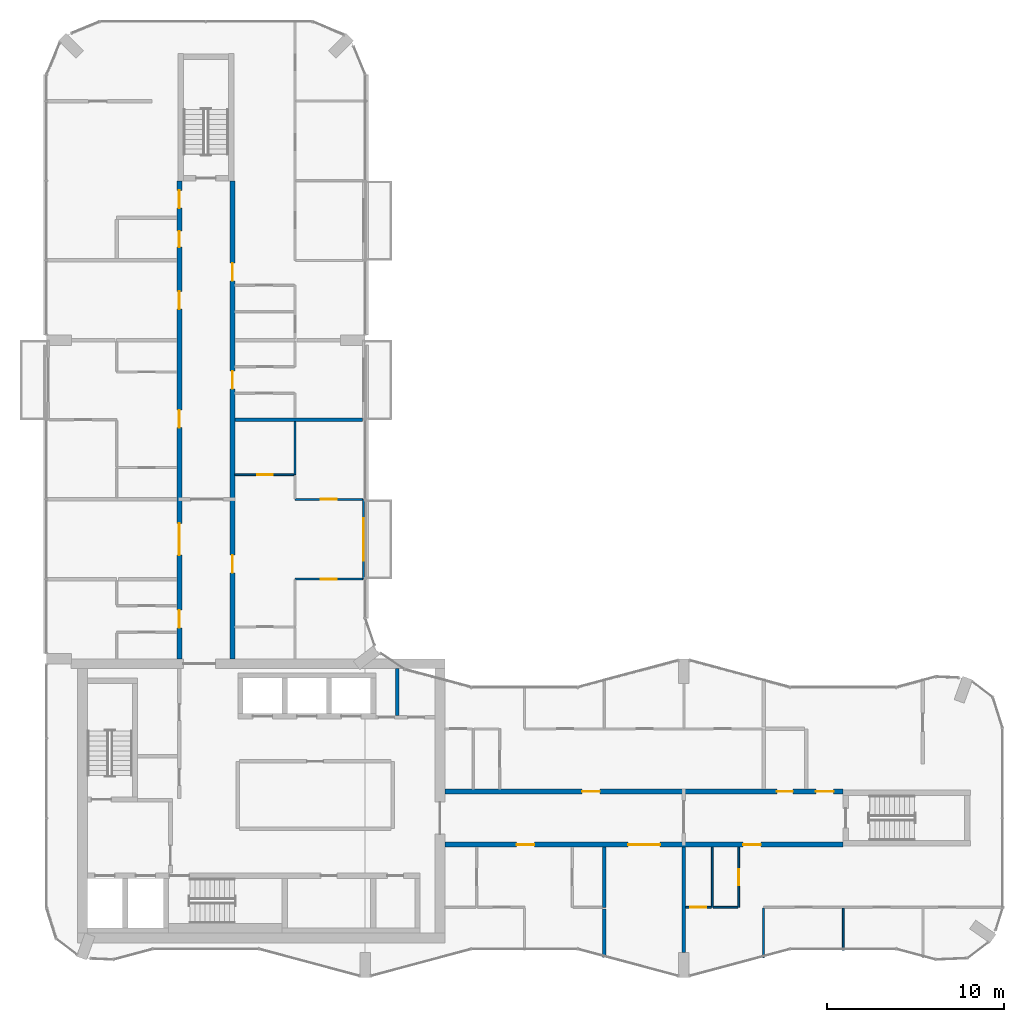
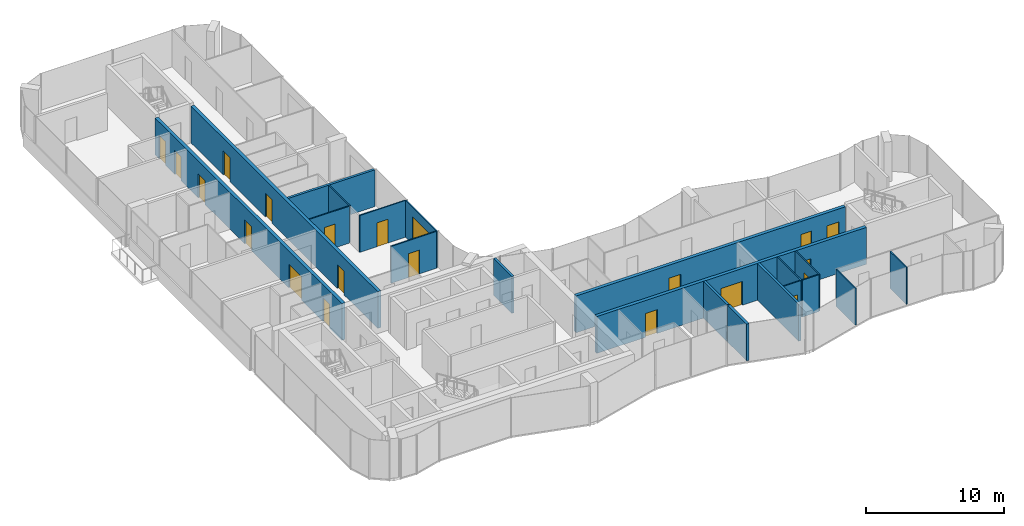
# One storey, part 11 of 15: 21 doors, 20 walls, 21 openings.
"""IFC4 building model written with IfcOpenShell, lengths in metres."""

import ifcopenshell
import ifcopenshell.guid

model = None  # the IFC model being written
_history = None  # IfcOwnerHistory: only IFC2X3 demands one
_inside = {}  # id of a spatial element -> (the spatial element, [elements in it])
_under = {}  # id of a project, library or spatial element -> (it, [spatial elements below it])
_declared = {}  # id of a project -> (the project, [libraries it declares])
_typed = {}  # id of a type object -> (the type object, [elements of that type])
_made_of = {}  # id of a material, layer set ... -> (it, [elements and type objects made of it])


def new_model(schema):
    """Start an empty IFC model of exactly this schema.

    Asked for "IFC4X3", IfcOpenShell would pick the latest addendum, in which some entities
    have other attributes; the version numbers below select the first issue.
    IFC2X3 requires an IfcOwnerHistory on every rooted entity: one is made here for all.
    """
    global model, _history
    if schema == "IFC4X3":
        model = ifcopenshell.file(schema_version=(4, 3, 0, 0))
    else:
        model = ifcopenshell.file(schema=schema)
    _inside.clear()
    _under.clear()
    _declared.clear()
    _typed.clear()
    _made_of.clear()
    _history = None
    if model.schema == "IFC2X3":
        org = make("IfcOrganization", Name="unknown")
        user = make(
            "IfcPersonAndOrganization",
            ThePerson=make("IfcPerson", FamilyName="unknown"),
            TheOrganization=org,
        )
        app = make(
            "IfcApplication",
            ApplicationDeveloper=org,
            Version="unknown",
            ApplicationFullName="unknown",
            ApplicationIdentifier="unknown",
        )
        _history = make(
            "IfcOwnerHistory",
            OwningUser=user,
            OwningApplication=app,
            ChangeAction="ADDED",
            CreationDate=0,
        )
    return model


def make(cls, **values):
    """One entity of the class cls with the attributes given. An attribute that is None is left unset."""
    return model.create_entity(
        cls, **{name: value for name, value in values.items() if value is not None}
    )


def rooted(cls, **values):
    """An entity with a GlobalId (a new one), such as an element, a storey or a relation."""
    return make(cls, GlobalId=ifcopenshell.guid.new(), OwnerHistory=_history, **values)


def si_unit(unit_type, name, prefix=None):
    """IfcSIUnit, for example si_unit("LENGTHUNIT", "METRE", prefix="MILLI")."""
    return make("IfcSIUnit", UnitType=unit_type, Prefix=prefix, Name=name)


def assignment(units):
    """IfcUnitAssignment: the units of a project."""
    return None if units is None else make("IfcUnitAssignment", Units=units)


def point(xyz):
    """IfcCartesianPoint."""
    return None if xyz is None else make("IfcCartesianPoint", Coordinates=xyz)


def direction(xyz):
    """IfcDirection."""
    return None if xyz is None else make("IfcDirection", DirectionRatios=xyz)


def frame(location, z_axis=None, x_axis=None):
    """IfcAxis2Placement3D, a coordinate frame: its origin and axes. An axis left out is left unset."""
    return make(
        "IfcAxis2Placement3D",
        Location=point(location),
        Axis=direction(z_axis),
        RefDirection=direction(x_axis),
    )


def frame_2d(location, x_axis=None):
    """IfcAxis2Placement2D, a coordinate frame in the plane: its origin and x axis."""
    return make(
        "IfcAxis2Placement2D", Location=point(location), RefDirection=direction(x_axis)
    )


def origin():
    """The frame at (0, 0, 0) with its axes left unset."""
    return frame((0.0, 0.0, 0.0))


def place(relative_to, where):
    """IfcLocalPlacement: puts the frame where relative to a parent placement (None: the world)."""
    return make(
        "IfcLocalPlacement", PlacementRelTo=relative_to, RelativePlacement=where
    )


def context(
    kind, dimensions, precision=None, world=None, true_north=None, identifier=None
):
    """IfcGeometricRepresentationContext, for example the 3D "Model" context."""
    return make(
        "IfcGeometricRepresentationContext",
        ContextIdentifier=identifier,
        ContextType=kind,
        CoordinateSpaceDimension=dimensions,
        Precision=precision,
        WorldCoordinateSystem=world,
        TrueNorth=true_north,
    )


def subcontext(parent, identifier, kind, view, scale=None):
    """IfcGeometricRepresentationSubContext, for example "Body" below "Model"."""
    return make(
        "IfcGeometricRepresentationSubContext",
        ContextIdentifier=identifier,
        ContextType=kind,
        ParentContext=parent,
        TargetScale=scale,
        TargetView=view,
    )


def project(units=None, contexts=None):
    """IfcProject with its units and contexts."""
    return rooted(
        "IfcProject",
        Name="project",
        RepresentationContexts=contexts,
        UnitsInContext=assignment(units),
    )


def spatial(cls, under=None, at=None, **own):
    """A site, building, storey or space (cls), placed at a placement, below another one or the project."""
    s = rooted(cls, ObjectPlacement=at, **own)
    if under is not None:
        _under.setdefault(under.id(), (under, []))[1].append(s)
    return s


def profile(cls, at=None, kind="AREA", **sizes):
    """A parametric profile (cls). Its sizes go by their IFC names, for example OverallWidth=200.0."""
    return make(cls, ProfileType=kind, Position=at, **sizes)


def rectangle(**sizes):
    """IfcRectangleProfileDef."""
    return profile("IfcRectangleProfileDef", **sizes)


def extrude(swept, where, along, depth):
    """IfcExtrudedAreaSolid: the profile swept, set in the frame where, extruded along a direction by depth."""
    return make(
        "IfcExtrudedAreaSolid",
        SweptArea=swept,
        Position=where,
        ExtrudedDirection=direction(along),
        Depth=depth,
    )


def shape(context_of_items, identifier, shape_type, items):
    """IfcShapeRepresentation: the items that make up one representation, for example the "Body"."""
    return make(
        "IfcShapeRepresentation",
        ContextOfItems=context_of_items,
        RepresentationIdentifier=identifier,
        RepresentationType=shape_type,
        Items=items,
    )


def material(Name=None, Category=None):
    """IfcMaterial."""
    return make("IfcMaterial", Name=Name, Category=Category)


def layer(
    of_material, thickness, ventilated=None, Name=None, Category=None, Priority=None
):
    """IfcMaterialLayer: one layer of a wall or slab, of a material (None: an air gap)."""
    return make(
        "IfcMaterialLayer",
        Material=of_material,
        LayerThickness=thickness,
        IsVentilated=ventilated,
        Name=Name,
        Category=Category,
        Priority=Priority,
    )


def layer_set(layers, Name=None):
    """IfcMaterialLayerSet."""
    return make("IfcMaterialLayerSet", MaterialLayers=layers, LayerSetName=Name)


def made_of(thing, what):
    """Note that an element or type object is made of a material, layer set ...; save() writes the relation."""
    if what is not None:
        _made_of.setdefault(what.id(), (what, []))[1].append(thing)
    return thing


def type_object(cls, material=None, **own):
    """A type object (cls), such as IfcWallType, which elements share."""
    return made_of(rooted(cls, **own), material)


def element(
    cls,
    number,
    at=None,
    inside=None,
    cuts=None,
    type_object=None,
    material=None,
    context=None,
    identifier="Body",
    shape_type=None,
    held_by="IfcProductDefinitionShape",
    body=None,
    shapes=None,
    **own,
):
    """One element of the class cls, such as IfcWall. Its Tag is "e" and its number.

    at: its placement. inside: the storey or other place that contains it. cuts: it is an
    opening in that element (IfcRelVoidsElement). A single representation is given by context,
    identifier, shape_type and body (its items); several are given by shapes. held_by: the class
    of the entity that holds the representations. save() writes the other relations.
    """
    e = rooted(cls, Tag="e%d" % number, ObjectPlacement=at, **own)
    if body is not None:
        shapes = [shape(context, identifier, shape_type, body)]
    if shapes is not None:
        e.Representation = make(held_by, Representations=shapes)
    if inside is not None:
        _inside.setdefault(inside.id(), (inside, []))[1].append(e)
    if cuts is not None:
        rooted(
            "IfcRelVoidsElement", RelatingBuildingElement=cuts, RelatedOpeningElement=e
        )
    if type_object is not None:
        _typed.setdefault(type_object.id(), (type_object, []))[1].append(e)
    return made_of(e, material)


def fill(opening, filler):
    """IfcRelFillsElement: the door or window that sits in an opening."""
    return rooted(
        "IfcRelFillsElement",
        RelatingOpeningElement=opening,
        RelatedBuildingElement=filler,
    )


def aggregate(whole, parts):
    """IfcRelAggregates: a whole, such as a stair, and the parts it consists of."""
    return rooted("IfcRelAggregates", RelatingObject=whole, RelatedObjects=parts)


def save(model, path):
    """Write the relations noted so far, then the file.

    IfcRelAggregates (storeys below a building ...), IfcRelContainedInSpatialStructure (elements
    in a storey), IfcRelDefinesByType, IfcRelAssociatesMaterial and IfcRelDeclares: one each for
    every whole, place, type object, material and project.
    """
    for whole, parts in _under.values():
        aggregate(whole, parts)
    for where, things in _inside.values():
        rooted(
            "IfcRelContainedInSpatialStructure",
            RelatedElements=things,
            RelatingStructure=where,
        )
    for kind, things in _typed.values():
        rooted("IfcRelDefinesByType", RelatedObjects=things, RelatingType=kind)
    for what, things in _made_of.values():
        rooted("IfcRelAssociatesMaterial", RelatedObjects=things, RelatingMaterial=what)
    for by, libraries in _declared.values():
        rooted("IfcRelDeclares", RelatingContext=by, RelatedDefinitions=libraries)
    model.write(path)


model = new_model("IFC4")

# Units and contexts
model_context = context("Model", 3, precision=1e-05, world=origin(), true_north=direction((0.0, 1.0)))
body_context = subcontext(model_context, "Body", "Model", "MODEL_VIEW")
ifc_project = project(units=[si_unit("LENGTHUNIT", "METRE"), si_unit("AREAUNIT", "SQUARE_METRE"), si_unit("VOLUMEUNIT", "CUBIC_METRE"), si_unit("PLANEANGLEUNIT", "RADIAN"), si_unit("MASSUNIT", "GRAM", prefix="KILO")], contexts=[model_context])

# Site, building, storey
site_placement = place(None, origin())
site = spatial("IfcSite", under=ifc_project, at=site_placement, CompositionType="ELEMENT")
building_placement = place(site_placement, origin())
building = spatial("IfcBuilding", under=site, at=building_placement, Name="Plateau Cross Towers", CompositionType="ELEMENT")
storey_placement = place(building_placement, frame((0.0, 0.0, 204.89990234375)))
storey = spatial("IfcBuildingStorey", under=building, at=storey_placement, Name="L53", CompositionType="ELEMENT", Elevation=204.89990234375)

# Wall, opening, door
ifc_material_1 = material(Name="Aluminium framed glazing", Category="aluminium")
ifc_layer_1 = layer(ifc_material_1, 0.10009765625)
ifc_layer_set_1 = layer_set([ifc_layer_1], Name="Aluminium framed glazing")
wall_type_1 = type_object("IfcWallType", Name="Balcony screen wall 100", PredefinedType="STANDARD", material=ifc_layer_set_1)
wall_1_placement = place(storey_placement, frame((17.89990234375, 27.0, 0.0), z_axis=(0.0, 0.0, 1.0), x_axis=(0.0, -1.0, 0.0)))
wall_1 = element("IfcWall", 1, at=wall_1_placement, inside=storey, type_object=wall_type_1, Name="Balcony screen wall A-BAL-L53-02", PredefinedType="STANDARD", context=body_context, shape_type="SweptSolid", body=[
    extrude(rectangle(XDim=4.5, YDim=0.10009765625, at=frame_2d((2.25, 0.0))), origin(), (0.0, 0.0, 1.0), 3.25),
])
opening_1_placement = place(wall_1_placement, frame((1.050048828125, 0.0, 0.0)))
opening_1 = element("IfcOpeningElement", 2, at=opening_1_placement, cuts=wall_1, Name="Opening D-B24", PredefinedType="OPENING", context=body_context, shape_type="SweptSolid", body=[
    extrude(rectangle(XDim=2.39990234375, YDim=2.39990234375, at=frame_2d((1.199951171875, 1.199951171875))), frame((0.0, 0.06005859375, 0.0), z_axis=(0.0, -1.0, 0.0), x_axis=(1.0, 0.0, 0.0)), (0.0, 0.0, 1.0), 0.1201171875),
])
ifc_material_2 = material(Name="Aluminium frame, double glazing", Category="aluminium")
door_type_1 = type_object("IfcDoorType", Name="Balcony sliding door 2400", OperationType="NOTDEFINED", PredefinedType="DOOR", material=ifc_material_2)
door_1_placement = place(opening_1_placement, origin())
door_1 = element("IfcDoor", 3, at=door_1_placement, inside=storey, type_object=door_type_1, Name="Balcony door A-BAL-L53-02", OperationType="SINGLE_SWING_LEFT", OverallHeight=2.39990234375, OverallWidth=2.39990234375, PredefinedType="DOOR", context=body_context, shape_type="SweptSolid", body=[
    extrude(rectangle(XDim=2.39990234375, YDim=2.39990234375, at=frame_2d((1.199951171875, 1.199951171875))), frame((0.0, 0.02490234375, 0.0), z_axis=(0.0, -1.0, 0.0), x_axis=(1.0, 0.0, 0.0)), (0.0, 0.0, 1.0), 0.050048828125),
])
fill(opening_1, door_1)

# Wall
ifc_material_3 = material(Name="Concrete block, plastered both sides", Category="concrete")
ifc_layer_2 = layer(ifc_material_3, 0.199951171875)
ifc_layer_set_2 = layer_set([ifc_layer_2], Name="Concrete block, plastered both sides")
wall_type_2 = type_object("IfcWallType", Name="Core partition 200", PredefinedType="PARTITIONING", material=ifc_layer_set_2)
wall_2_placement = place(storey_placement, frame((19.800048828125, 14.800048828125, 0.0), z_axis=(0.0, 0.0, 1.0), x_axis=(0.0, 1.0, 0.0)))
element("IfcWall", 4, at=wall_2_placement, inside=storey, type_object=wall_type_2, Name="Core partition", PredefinedType="PARTITIONING", context=body_context, shape_type="SweptSolid", body=[
    extrude(rectangle(XDim=2.64990234375, YDim=0.199951171875, at=frame_2d((1.324951171875, 0.0))), origin(), (0.0, 0.0, 1.0), 3.25),
])

# Wall, openings, doors
ifc_material_4 = material(Name="Concrete C60/75", Category="concrete")
ifc_layer_3 = layer(ifc_material_4, 0.27490234375)
ifc_layer_set_3 = layer_set([ifc_layer_3], Name="Concrete C60/75")
wall_type_3 = type_object("IfcWallType", Name="Corridor wall 275", PredefinedType="SHEAR", material=ifc_layer_set_3)
wall_3_placement = place(storey_placement, frame((22.5, 7.5, 0.0), z_axis=(0.0, 0.0, 1.0), x_axis=(1.0, 0.0, 0.0)))
wall_3 = element("IfcWall", 5, at=wall_3_placement, inside=storey, type_object=wall_type_3, Name="A-cw-S1@L53", PredefinedType="SHEAR", context=body_context, shape_type="SweptSolid", body=[
    extrude(rectangle(XDim=22.5, YDim=0.27490234375, at=frame_2d((11.25, 0.0))), origin(), (0.0, 0.0, 1.0), 3.25),
])
opening_2_placement = place(wall_3_placement, frame((4.050048828125, 0.0, 0.0)))
opening_2 = element("IfcOpeningElement", 6, at=opening_2_placement, cuts=wall_3, Name="Opening 53-01", PredefinedType="OPENING", context=body_context, shape_type="SweptSolid", body=[
    extrude(rectangle(XDim=1.0, YDim=2.10009765625, at=frame_2d((0.5, 1.050048828125))), frame((0.0, 0.1474609375, 0.0), z_axis=(0.0, -1.0, 0.0), x_axis=(1.0, 0.0, 0.0)), (0.0, 0.0, 1.0), 0.294921875),
])
opening_3_placement = place(wall_3_placement, frame((10.35009765625, 0.0, 0.0)))
opening_3 = element("IfcOpeningElement", 7, at=opening_3_placement, cuts=wall_3, Name="Opening 53-02", PredefinedType="OPENING", context=body_context, shape_type="SweptSolid", body=[
    extrude(rectangle(XDim=1.800048828125, YDim=2.10009765625, at=frame_2d((0.89990234375, 1.050048828125))), frame((0.0, 0.1474609375, 0.0), z_axis=(0.0, -1.0, 0.0), x_axis=(1.0, 0.0, 0.0)), (0.0, 0.0, 1.0), 0.294921875),
])
opening_4_placement = place(wall_3_placement, frame((16.85009765625, 0.0, 0.0)))
opening_4 = element("IfcOpeningElement", 8, at=opening_4_placement, cuts=wall_3, Name="Opening 53-03", PredefinedType="OPENING", context=body_context, shape_type="SweptSolid", body=[
    extrude(rectangle(XDim=1.0, YDim=2.10009765625, at=frame_2d((0.5, 1.050048828125))), frame((0.0, 0.1474609375, 0.0), z_axis=(0.0, -1.0, 0.0), x_axis=(1.0, 0.0, 0.0)), (0.0, 0.0, 1.0), 0.294921875),
])
ifc_material_5 = material(Name="Timber, fire-resisting leaf", Category="wood")
door_type_2 = type_object("IfcDoorType", Name="Flat entrance door 1000", OperationType="NOTDEFINED", PredefinedType="DOOR", material=ifc_material_5)
door_2_placement = place(opening_2_placement, origin())
door_2 = element("IfcDoor", 9, at=door_2_placement, inside=storey, type_object=door_type_2, Name="Door 53-01", OperationType="SINGLE_SWING_LEFT", OverallHeight=2.10009765625, OverallWidth=1.0, PredefinedType="DOOR", context=body_context, shape_type="SweptSolid", body=[
    extrude(rectangle(XDim=1.0, YDim=2.10009765625, at=frame_2d((0.5, 1.050048828125))), frame((0.0, 0.02490234375, 0.0), z_axis=(0.0, -1.0, 0.0), x_axis=(1.0, 0.0, 0.0)), (0.0, 0.0, 1.0), 0.050048828125),
])
fill(opening_2, door_2)
door_3_placement = place(opening_4_placement, origin())
door_3 = element("IfcDoor", 10, at=door_3_placement, inside=storey, type_object=door_type_2, Name="Door 53-03", OperationType="SINGLE_SWING_RIGHT", OverallHeight=2.10009765625, OverallWidth=1.0, PredefinedType="DOOR", context=body_context, shape_type="SweptSolid", body=[
    extrude(rectangle(XDim=1.0, YDim=2.10009765625, at=frame_2d((0.5, 1.050048828125))), frame((0.0, 0.02490234375, 0.0), z_axis=(0.0, -1.0, 0.0), x_axis=(1.0, 0.0, 0.0)), (0.0, 0.0, 1.0), 0.050048828125),
])
fill(opening_4, door_3)
ifc_material_6 = material(Name="Timber, fire-resisting leaves", Category="wood")
door_type_3 = type_object("IfcDoorType", Name="Flat floor fire door pair 1800", OperationType="NOTDEFINED", PredefinedType="DOOR", material=ifc_material_6)
door_4_placement = place(opening_3_placement, origin())
door_4 = element("IfcDoor", 11, at=door_4_placement, inside=storey, type_object=door_type_3, Name="Door 53-02", OperationType="SINGLE_SWING_LEFT", OverallHeight=2.10009765625, OverallWidth=1.800048828125, PredefinedType="DOOR", context=body_context, shape_type="SweptSolid", body=[
    extrude(rectangle(XDim=1.800048828125, YDim=2.10009765625, at=frame_2d((0.89990234375, 1.050048828125))), frame((0.0, 0.02490234375, 0.0), z_axis=(0.0, -1.0, 0.0), x_axis=(1.0, 0.0, 0.0)), (0.0, 0.0, 1.0), 0.050048828125),
])
fill(opening_3, door_4)

wall_4_placement = place(storey_placement, frame((22.5, 10.5, 0.0), z_axis=(0.0, 0.0, 1.0), x_axis=(1.0, 0.0, 0.0)))
wall_4 = element("IfcWall", 12, at=wall_4_placement, inside=storey, type_object=wall_type_3, Name="A-cw-S2@L53", PredefinedType="SHEAR", context=body_context, shape_type="SweptSolid", body=[
    extrude(rectangle(XDim=22.5, YDim=0.27490234375, at=frame_2d((11.25, 0.0))), origin(), (0.0, 0.0, 1.0), 3.25),
])
opening_5_placement = place(wall_4_placement, frame((7.75, 0.0, 0.0)))
opening_5 = element("IfcOpeningElement", 13, at=opening_5_placement, cuts=wall_4, Name="Opening 53-04", PredefinedType="OPENING", context=body_context, shape_type="SweptSolid", body=[
    extrude(rectangle(XDim=1.0, YDim=2.10009765625, at=frame_2d((0.5, 1.050048828125))), frame((0.0, 0.1474609375, 0.0), z_axis=(0.0, -1.0, 0.0), x_axis=(1.0, 0.0, 0.0)), (0.0, 0.0, 1.0), 0.294921875),
])
opening_6_placement = place(wall_4_placement, frame((18.75, 0.0, 0.0)))
opening_6 = element("IfcOpeningElement", 14, at=opening_6_placement, cuts=wall_4, Name="Opening 53-05", PredefinedType="OPENING", context=body_context, shape_type="SweptSolid", body=[
    extrude(rectangle(XDim=0.89990234375, YDim=2.10009765625, at=frame_2d((0.449951171875, 1.050048828125))), frame((0.0, 0.1474609375, 0.0), z_axis=(0.0, -1.0, 0.0), x_axis=(1.0, 0.0, 0.0)), (0.0, 0.0, 1.0), 0.294921875),
])
opening_7_placement = place(wall_4_placement, frame((20.949951171875, 0.0, 0.0)))
opening_7 = element("IfcOpeningElement", 15, at=opening_7_placement, cuts=wall_4, Name="Opening 53-06", PredefinedType="OPENING", context=body_context, shape_type="SweptSolid", body=[
    extrude(rectangle(XDim=1.0, YDim=2.10009765625, at=frame_2d((0.5, 1.050048828125))), frame((0.0, 0.1474609375, 0.0), z_axis=(0.0, -1.0, 0.0), x_axis=(1.0, 0.0, 0.0)), (0.0, 0.0, 1.0), 0.294921875),
])
door_5_placement = place(opening_5_placement, origin())
door_5 = element("IfcDoor", 16, at=door_5_placement, inside=storey, type_object=door_type_2, Name="Door 53-04", OperationType="SINGLE_SWING_LEFT", OverallHeight=2.10009765625, OverallWidth=1.0, PredefinedType="DOOR", context=body_context, shape_type="SweptSolid", body=[
    extrude(rectangle(XDim=1.0, YDim=2.10009765625, at=frame_2d((0.5, 1.050048828125))), frame((0.0, 0.02490234375, 0.0), z_axis=(0.0, -1.0, 0.0), x_axis=(1.0, 0.0, 0.0)), (0.0, 0.0, 1.0), 0.050048828125),
])
fill(opening_5, door_5)
door_6_placement = place(opening_7_placement, origin())
door_6 = element("IfcDoor", 17, at=door_6_placement, inside=storey, type_object=door_type_2, Name="Door 53-06", OperationType="SINGLE_SWING_RIGHT", OverallHeight=2.10009765625, OverallWidth=1.0, PredefinedType="DOOR", context=body_context, shape_type="SweptSolid", body=[
    extrude(rectangle(XDim=1.0, YDim=2.10009765625, at=frame_2d((0.5, 1.050048828125))), frame((0.0, 0.02490234375, 0.0), z_axis=(0.0, -1.0, 0.0), x_axis=(1.0, 0.0, 0.0)), (0.0, 0.0, 1.0), 0.050048828125),
])
fill(opening_7, door_6)
door_type_4 = type_object("IfcDoorType", Name="Flat floor service door 900", OperationType="NOTDEFINED", PredefinedType="DOOR", material=ifc_material_5)
door_7_placement = place(opening_6_placement, origin())
door_7 = element("IfcDoor", 18, at=door_7_placement, inside=storey, type_object=door_type_4, Name="Door 53-05", OperationType="SINGLE_SWING_RIGHT", OverallHeight=2.10009765625, OverallWidth=0.89990234375, PredefinedType="DOOR", context=body_context, shape_type="SweptSolid", body=[
    extrude(rectangle(XDim=0.89990234375, YDim=2.10009765625, at=frame_2d((0.449951171875, 1.050048828125))), frame((0.0, 0.02490234375, 0.0), z_axis=(0.0, -1.0, 0.0), x_axis=(1.0, 0.0, 0.0)), (0.0, 0.0, 1.0), 0.050048828125),
])
fill(opening_6, door_7)

wall_5_placement = place(storey_placement, frame((7.5, 18.0, 0.0), z_axis=(0.0, 0.0, 1.0), x_axis=(0.0, 1.0, 0.0)))
wall_5 = element("IfcWall", 19, at=wall_5_placement, inside=storey, type_object=wall_type_3, Name="A-cw-W1@L53", PredefinedType="SHEAR", context=body_context, shape_type="SweptSolid", body=[
    extrude(rectangle(XDim=27.0, YDim=0.27490234375, at=frame_2d((13.5, 0.0))), origin(), (0.0, 0.0, 1.0), 3.25),
])
opening_8_placement = place(wall_5_placement, frame((1.75, 0.0, 0.0)))
opening_8 = element("IfcOpeningElement", 20, at=opening_8_placement, cuts=wall_5, Name="Opening 53-07", PredefinedType="OPENING", context=body_context, shape_type="SweptSolid", body=[
    extrude(rectangle(XDim=1.0, YDim=2.10009765625, at=frame_2d((0.5, 1.050048828125))), frame((0.0, 0.1474609375, 0.0), z_axis=(0.0, -1.0, 0.0), x_axis=(1.0, 0.0, 0.0)), (0.0, 0.0, 1.0), 0.294921875),
])
opening_9_placement = place(wall_5_placement, frame((5.85009765625, 0.0, 0.0)))
opening_9 = element("IfcOpeningElement", 21, at=opening_9_placement, cuts=wall_5, Name="Opening 53-08", PredefinedType="OPENING", context=body_context, shape_type="SweptSolid", body=[
    extrude(rectangle(XDim=1.800048828125, YDim=2.10009765625, at=frame_2d((0.89990234375, 1.050048828125))), frame((0.0, 0.1474609375, 0.0), z_axis=(0.0, -1.0, 0.0), x_axis=(1.0, 0.0, 0.0)), (0.0, 0.0, 1.0), 0.294921875),
])
opening_10_placement = place(wall_5_placement, frame((13.050048828125, 0.0, 0.0)))
opening_10 = element("IfcOpeningElement", 22, at=opening_10_placement, cuts=wall_5, Name="Opening 53-09", PredefinedType="OPENING", context=body_context, shape_type="SweptSolid", body=[
    extrude(rectangle(XDim=1.0, YDim=2.10009765625, at=frame_2d((0.5, 1.050048828125))), frame((0.0, 0.1474609375, 0.0), z_axis=(0.0, -1.0, 0.0), x_axis=(1.0, 0.0, 0.0)), (0.0, 0.0, 1.0), 0.294921875),
])
opening_11_placement = place(wall_5_placement, frame((19.75, 0.0, 0.0)))
opening_11 = element("IfcOpeningElement", 23, at=opening_11_placement, cuts=wall_5, Name="Opening 53-10", PredefinedType="OPENING", context=body_context, shape_type="SweptSolid", body=[
    extrude(rectangle(XDim=1.0, YDim=2.10009765625, at=frame_2d((0.5, 1.050048828125))), frame((0.0, 0.1474609375, 0.0), z_axis=(0.0, -1.0, 0.0), x_axis=(1.0, 0.0, 0.0)), (0.0, 0.0, 1.0), 0.294921875),
])
opening_12_placement = place(wall_5_placement, frame((23.25, 0.0, 0.0)))
opening_12 = element("IfcOpeningElement", 24, at=opening_12_placement, cuts=wall_5, Name="Opening 53-11", PredefinedType="OPENING", context=body_context, shape_type="SweptSolid", body=[
    extrude(rectangle(XDim=0.89990234375, YDim=2.10009765625, at=frame_2d((0.449951171875, 1.050048828125))), frame((0.0, 0.1474609375, 0.0), z_axis=(0.0, -1.0, 0.0), x_axis=(1.0, 0.0, 0.0)), (0.0, 0.0, 1.0), 0.294921875),
])
opening_13_placement = place(wall_5_placement, frame((25.449951171875, 0.0, 0.0)))
opening_13 = element("IfcOpeningElement", 25, at=opening_13_placement, cuts=wall_5, Name="Opening 53-12", PredefinedType="OPENING", context=body_context, shape_type="SweptSolid", body=[
    extrude(rectangle(XDim=1.0, YDim=2.10009765625, at=frame_2d((0.5, 1.050048828125))), frame((0.0, 0.1474609375, 0.0), z_axis=(0.0, -1.0, 0.0), x_axis=(1.0, 0.0, 0.0)), (0.0, 0.0, 1.0), 0.294921875),
])
door_8_placement = place(opening_8_placement, origin())
door_8 = element("IfcDoor", 26, at=door_8_placement, inside=storey, type_object=door_type_2, Name="Door 53-07", OperationType="SINGLE_SWING_LEFT", OverallHeight=2.10009765625, OverallWidth=1.0, PredefinedType="DOOR", context=body_context, shape_type="SweptSolid", body=[
    extrude(rectangle(XDim=1.0, YDim=2.10009765625, at=frame_2d((0.5, 1.050048828125))), frame((0.0, 0.02490234375, 0.0), z_axis=(0.0, -1.0, 0.0), x_axis=(1.0, 0.0, 0.0)), (0.0, 0.0, 1.0), 0.050048828125),
])
fill(opening_8, door_8)
door_9_placement = place(opening_10_placement, origin())
door_9 = element("IfcDoor", 27, at=door_9_placement, inside=storey, type_object=door_type_2, Name="Door 53-09", OperationType="SINGLE_SWING_RIGHT", OverallHeight=2.10009765625, OverallWidth=1.0, PredefinedType="DOOR", context=body_context, shape_type="SweptSolid", body=[
    extrude(rectangle(XDim=1.0, YDim=2.10009765625, at=frame_2d((0.5, 1.050048828125))), frame((0.0, 0.02490234375, 0.0), z_axis=(0.0, -1.0, 0.0), x_axis=(1.0, 0.0, 0.0)), (0.0, 0.0, 1.0), 0.050048828125),
])
fill(opening_10, door_9)
door_10_placement = place(opening_11_placement, origin())
door_10 = element("IfcDoor", 28, at=door_10_placement, inside=storey, type_object=door_type_2, Name="Door 53-10", OperationType="SINGLE_SWING_RIGHT", OverallHeight=2.10009765625, OverallWidth=1.0, PredefinedType="DOOR", context=body_context, shape_type="SweptSolid", body=[
    extrude(rectangle(XDim=1.0, YDim=2.10009765625, at=frame_2d((0.5, 1.050048828125))), frame((0.0, 0.02490234375, 0.0), z_axis=(0.0, -1.0, 0.0), x_axis=(1.0, 0.0, 0.0)), (0.0, 0.0, 1.0), 0.050048828125),
])
fill(opening_11, door_10)
door_11_placement = place(opening_13_placement, origin())
door_11 = element("IfcDoor", 29, at=door_11_placement, inside=storey, type_object=door_type_2, Name="Door 53-12", OperationType="SINGLE_SWING_RIGHT", OverallHeight=2.10009765625, OverallWidth=1.0, PredefinedType="DOOR", context=body_context, shape_type="SweptSolid", body=[
    extrude(rectangle(XDim=1.0, YDim=2.10009765625, at=frame_2d((0.5, 1.050048828125))), frame((0.0, 0.02490234375, 0.0), z_axis=(0.0, -1.0, 0.0), x_axis=(1.0, 0.0, 0.0)), (0.0, 0.0, 1.0), 0.050048828125),
])
fill(opening_13, door_11)
door_12_placement = place(opening_9_placement, origin())
door_12 = element("IfcDoor", 30, at=door_12_placement, inside=storey, type_object=door_type_3, Name="Door 53-08", OperationType="SINGLE_SWING_LEFT", OverallHeight=2.10009765625, OverallWidth=1.800048828125, PredefinedType="DOOR", context=body_context, shape_type="SweptSolid", body=[
    extrude(rectangle(XDim=1.800048828125, YDim=2.10009765625, at=frame_2d((0.89990234375, 1.050048828125))), frame((0.0, 0.02490234375, 0.0), z_axis=(0.0, -1.0, 0.0), x_axis=(1.0, 0.0, 0.0)), (0.0, 0.0, 1.0), 0.050048828125),
])
fill(opening_9, door_12)
door_13_placement = place(opening_12_placement, origin())
door_13 = element("IfcDoor", 31, at=door_13_placement, inside=storey, type_object=door_type_4, Name="Door 53-11", OperationType="SINGLE_SWING_RIGHT", OverallHeight=2.10009765625, OverallWidth=0.89990234375, PredefinedType="DOOR", context=body_context, shape_type="SweptSolid", body=[
    extrude(rectangle(XDim=0.89990234375, YDim=2.10009765625, at=frame_2d((0.449951171875, 1.050048828125))), frame((0.0, 0.02490234375, 0.0), z_axis=(0.0, -1.0, 0.0), x_axis=(1.0, 0.0, 0.0)), (0.0, 0.0, 1.0), 0.050048828125),
])
fill(opening_12, door_13)

wall_6_placement = place(storey_placement, frame((10.5, 18.0, 0.0), z_axis=(0.0, 0.0, 1.0), x_axis=(0.0, 1.0, 0.0)))
wall_6 = element("IfcWall", 32, at=wall_6_placement, inside=storey, type_object=wall_type_3, Name="A-cw-W2@L53", PredefinedType="SHEAR", context=body_context, shape_type="SweptSolid", body=[
    extrude(rectangle(XDim=27.0, YDim=0.27490234375, at=frame_2d((13.5, 0.0))), origin(), (0.0, 0.0, 1.0), 3.25),
])
opening_14_placement = place(wall_6_placement, frame((4.85009765625, 0.0, 0.0)))
opening_14 = element("IfcOpeningElement", 33, at=opening_14_placement, cuts=wall_6, Name="Opening 53-13", PredefinedType="OPENING", context=body_context, shape_type="SweptSolid", body=[
    extrude(rectangle(XDim=1.0, YDim=2.10009765625, at=frame_2d((0.5, 1.050048828125))), frame((0.0, 0.1474609375, 0.0), z_axis=(0.0, -1.0, 0.0), x_axis=(1.0, 0.0, 0.0)), (0.0, 0.0, 1.0), 0.294921875),
])
opening_15_placement = place(wall_6_placement, frame((15.25, 0.0, 0.0)))
opening_15 = element("IfcOpeningElement", 34, at=opening_15_placement, cuts=wall_6, Name="Opening 53-14", PredefinedType="OPENING", context=body_context, shape_type="SweptSolid", body=[
    extrude(rectangle(XDim=1.0, YDim=2.10009765625, at=frame_2d((0.5, 1.050048828125))), frame((0.0, 0.1474609375, 0.0), z_axis=(0.0, -1.0, 0.0), x_axis=(1.0, 0.0, 0.0)), (0.0, 0.0, 1.0), 0.294921875),
])
opening_16_placement = place(wall_6_placement, frame((21.35009765625, 0.0, 0.0)))
opening_16 = element("IfcOpeningElement", 35, at=opening_16_placement, cuts=wall_6, Name="Opening 53-15", PredefinedType="OPENING", context=body_context, shape_type="SweptSolid", body=[
    extrude(rectangle(XDim=1.0, YDim=2.10009765625, at=frame_2d((0.5, 1.050048828125))), frame((0.0, 0.1474609375, 0.0), z_axis=(0.0, -1.0, 0.0), x_axis=(1.0, 0.0, 0.0)), (0.0, 0.0, 1.0), 0.294921875),
])
door_14_placement = place(opening_14_placement, origin())
door_14 = element("IfcDoor", 36, at=door_14_placement, inside=storey, type_object=door_type_2, Name="Door 53-13", OperationType="SINGLE_SWING_LEFT", OverallHeight=2.10009765625, OverallWidth=1.0, PredefinedType="DOOR", context=body_context, shape_type="SweptSolid", body=[
    extrude(rectangle(XDim=1.0, YDim=2.10009765625, at=frame_2d((0.5, 1.050048828125))), frame((0.0, 0.02490234375, 0.0), z_axis=(0.0, -1.0, 0.0), x_axis=(1.0, 0.0, 0.0)), (0.0, 0.0, 1.0), 0.050048828125),
])
fill(opening_14, door_14)
door_15_placement = place(opening_15_placement, origin())
door_15 = element("IfcDoor", 37, at=door_15_placement, inside=storey, type_object=door_type_2, Name="Door 53-14", OperationType="SINGLE_SWING_RIGHT", OverallHeight=2.10009765625, OverallWidth=1.0, PredefinedType="DOOR", context=body_context, shape_type="SweptSolid", body=[
    extrude(rectangle(XDim=1.0, YDim=2.10009765625, at=frame_2d((0.5, 1.050048828125))), frame((0.0, 0.02490234375, 0.0), z_axis=(0.0, -1.0, 0.0), x_axis=(1.0, 0.0, 0.0)), (0.0, 0.0, 1.0), 0.050048828125),
])
fill(opening_15, door_15)
door_16_placement = place(opening_16_placement, origin())
door_16 = element("IfcDoor", 38, at=door_16_placement, inside=storey, type_object=door_type_2, Name="Door 53-15", OperationType="SINGLE_SWING_RIGHT", OverallHeight=2.10009765625, OverallWidth=1.0, PredefinedType="DOOR", context=body_context, shape_type="SweptSolid", body=[
    extrude(rectangle(XDim=1.0, YDim=2.10009765625, at=frame_2d((0.5, 1.050048828125))), frame((0.0, 0.02490234375, 0.0), z_axis=(0.0, -1.0, 0.0), x_axis=(1.0, 0.0, 0.0)), (0.0, 0.0, 1.0), 0.050048828125),
])
fill(opening_16, door_16)

# Wall, opening, door
ifc_material_7 = material(Name="Gypsum board on steel studs", Category="steel")
ifc_layer_4 = layer(ifc_material_7, 0.10009765625)
ifc_layer_set_4 = layer_set([ifc_layer_4], Name="Gypsum board on steel studs")
wall_type_4 = type_object("IfcWallType", Name="Flat partition 100", PredefinedType="PARTITIONING", material=ifc_layer_set_4)
wall_7_placement = place(storey_placement, frame((36.10009765625, 3.96240234375, 0.0), z_axis=(0.0, 0.0, 1.0), x_axis=(1.0, 0.0, 0.0)))
wall_7 = element("IfcWall", 39, at=wall_7_placement, inside=storey, type_object=wall_type_4, Name="Partition wall", PredefinedType="PARTITIONING", context=body_context, shape_type="SweptSolid", body=[
    extrude(rectangle(XDim=1.449951171875, YDim=0.10009765625, at=frame_2d((0.72509765625, 0.0))), origin(), (0.0, 0.0, 1.0), 3.25),
])
opening_17_placement = place(wall_7_placement, frame((0.25, 0.0, 0.0)))
opening_17 = element("IfcOpeningElement", 40, at=opening_17_placement, cuts=wall_7, Name="Opening 53-23", PredefinedType="OPENING", context=body_context, shape_type="SweptSolid", body=[
    extrude(rectangle(XDim=0.89990234375, YDim=2.10009765625, at=frame_2d((0.449951171875, 1.050048828125))), frame((0.0, 0.06005859375, 0.0), z_axis=(0.0, -1.0, 0.0), x_axis=(1.0, 0.0, 0.0)), (0.0, 0.0, 1.0), 0.1201171875),
])
ifc_material_8 = material(Name="Timber leaf", Category="wood")
door_type_5 = type_object("IfcDoorType", Name="Flat room door 900", OperationType="NOTDEFINED", PredefinedType="DOOR", material=ifc_material_8)
door_17_placement = place(opening_17_placement, origin())
door_17 = element("IfcDoor", 41, at=door_17_placement, inside=storey, type_object=door_type_5, Name="Door 53-23", OperationType="SINGLE_SWING_LEFT", OverallHeight=2.10009765625, OverallWidth=0.89990234375, PredefinedType="DOOR", context=body_context, shape_type="SweptSolid", body=[
    extrude(rectangle(XDim=0.89990234375, YDim=2.10009765625, at=frame_2d((0.449951171875, 1.050048828125))), frame((0.0, 0.02490234375, 0.0), z_axis=(0.0, -1.0, 0.0), x_axis=(1.0, 0.0, 0.0)), (0.0, 0.0, 1.0), 0.050048828125),
])
fill(opening_17, door_17)

# Wall
wall_8_placement = place(storey_placement, frame((37.64990234375, 3.96240234375, 0.0), z_axis=(0.0, 0.0, 1.0), x_axis=(1.0, 0.0, 0.0)))
element("IfcWall", 42, at=wall_8_placement, inside=storey, type_object=wall_type_4, Name="Partition wall", PredefinedType="PARTITIONING", context=body_context, shape_type="SweptSolid", body=[
    extrude(rectangle(XDim=1.400146484375, YDim=0.10009765625, at=frame_2d((0.7001953125, 0.0))), origin(), (0.0, 0.0, 1.0), 3.25),
])

# Wall, opening, door
wall_9_placement = place(storey_placement, frame((17.85009765625, 22.5, 0.0), z_axis=(0.0, 0.0, 1.0), x_axis=(-1.0, 0.0, 0.0)))
wall_9 = element("IfcWall", 43, at=wall_9_placement, inside=storey, type_object=wall_type_4, Name="Partition wall", PredefinedType="PARTITIONING", context=body_context, shape_type="SweptSolid", body=[
    extrude(rectangle(XDim=3.8125, YDim=0.10009765625, at=frame_2d((1.90625, 0.0))), origin(), (0.0, 0.0, 1.0), 3.25),
])
opening_18_placement = place(wall_9_placement, frame((1.449951171875, 0.0, 0.0)))
opening_18 = element("IfcOpeningElement", 44, at=opening_18_placement, cuts=wall_9, Name="Opening 53-40", PredefinedType="OPENING", context=body_context, shape_type="SweptSolid", body=[
    extrude(rectangle(XDim=0.89990234375, YDim=2.10009765625, at=frame_2d((0.449951171875, 1.050048828125))), frame((0.0, 0.06005859375, 0.0), z_axis=(0.0, -1.0, 0.0), x_axis=(1.0, 0.0, 0.0)), (0.0, 0.0, 1.0), 0.1201171875),
])
door_18_placement = place(opening_18_placement, origin())
door_18 = element("IfcDoor", 45, at=door_18_placement, inside=storey, type_object=door_type_5, Name="Door 53-40", OperationType="SINGLE_SWING_LEFT", OverallHeight=2.10009765625, OverallWidth=0.89990234375, PredefinedType="DOOR", context=body_context, shape_type="SweptSolid", body=[
    extrude(rectangle(XDim=0.89990234375, YDim=2.10009765625, at=frame_2d((0.449951171875, 1.050048828125))), frame((0.0, 0.02490234375, 0.0), z_axis=(0.0, -1.0, 0.0), x_axis=(1.0, 0.0, 0.0)), (0.0, 0.0, 1.0), 0.050048828125),
])
fill(opening_18, door_18)

wall_10_placement = place(storey_placement, frame((14.03759765625, 27.0, 0.0), z_axis=(0.0, 0.0, 1.0), x_axis=(1.0, 0.0, 0.0)))
wall_10 = element("IfcWall", 46, at=wall_10_placement, inside=storey, type_object=wall_type_4, Name="Partition wall", PredefinedType="PARTITIONING", context=body_context, shape_type="SweptSolid", body=[
    extrude(rectangle(XDim=3.8125, YDim=0.10009765625, at=frame_2d((1.90625, 0.0))), origin(), (0.0, 0.0, 1.0), 3.25),
])
opening_19_placement = place(wall_10_placement, frame((1.449951171875, 0.0, 0.0)))
opening_19 = element("IfcOpeningElement", 47, at=opening_19_placement, cuts=wall_10, Name="Opening 53-41", PredefinedType="OPENING", context=body_context, shape_type="SweptSolid", body=[
    extrude(rectangle(XDim=0.89990234375, YDim=2.10009765625, at=frame_2d((0.449951171875, 1.050048828125))), frame((0.0, 0.06005859375, 0.0), z_axis=(0.0, -1.0, 0.0), x_axis=(1.0, 0.0, 0.0)), (0.0, 0.0, 1.0), 0.1201171875),
])
door_19_placement = place(opening_19_placement, origin())
door_19 = element("IfcDoor", 48, at=door_19_placement, inside=storey, type_object=door_type_5, Name="Door 53-41", OperationType="SINGLE_SWING_LEFT", OverallHeight=2.10009765625, OverallWidth=0.89990234375, PredefinedType="DOOR", context=body_context, shape_type="SweptSolid", body=[
    extrude(rectangle(XDim=0.89990234375, YDim=2.10009765625, at=frame_2d((0.449951171875, 1.050048828125))), frame((0.0, 0.02490234375, 0.0), z_axis=(0.0, -1.0, 0.0), x_axis=(1.0, 0.0, 0.0)), (0.0, 0.0, 1.0), 0.050048828125),
])
fill(opening_19, door_19)

wall_11_placement = place(storey_placement, frame((10.637451171875, 28.39990234375, 0.0), z_axis=(0.0, 0.0, 1.0), x_axis=(1.0, 0.0, 0.0)))
wall_11 = element("IfcWall", 49, at=wall_11_placement, inside=storey, type_object=wall_type_4, Name="Partition wall", PredefinedType="PARTITIONING", context=body_context, shape_type="SweptSolid", body=[
    extrude(rectangle(XDim=3.35009765625, YDim=0.10009765625, at=frame_2d((1.675048828125, 0.0))), origin(), (0.0, 0.0, 1.0), 3.25),
])
opening_20_placement = place(wall_11_placement, frame((1.25, 0.0, 0.0)))
opening_20 = element("IfcOpeningElement", 50, at=opening_20_placement, cuts=wall_11, Name="Opening 53-39", PredefinedType="OPENING", context=body_context, shape_type="SweptSolid", body=[
    extrude(rectangle(XDim=0.89990234375, YDim=2.10009765625, at=frame_2d((0.449951171875, 1.050048828125))), frame((0.0, 0.06005859375, 0.0), z_axis=(0.0, -1.0, 0.0), x_axis=(1.0, 0.0, 0.0)), (0.0, 0.0, 1.0), 0.1201171875),
])
door_20_placement = place(opening_20_placement, origin())
door_20 = element("IfcDoor", 51, at=door_20_placement, inside=storey, type_object=door_type_5, Name="Door 53-39", OperationType="SINGLE_SWING_RIGHT", OverallHeight=2.10009765625, OverallWidth=0.89990234375, PredefinedType="DOOR", context=body_context, shape_type="SweptSolid", body=[
    extrude(rectangle(XDim=0.89990234375, YDim=2.10009765625, at=frame_2d((0.449951171875, 1.050048828125))), frame((0.0, 0.02490234375, 0.0), z_axis=(0.0, -1.0, 0.0), x_axis=(1.0, 0.0, 0.0)), (0.0, 0.0, 1.0), 0.050048828125),
])
fill(opening_20, door_20)

# Walls
wall_12_placement = place(storey_placement, frame((14.03759765625, 28.39990234375, 0.0), z_axis=(0.0, 0.0, 1.0), x_axis=(0.0, 1.0, 0.0)))
element("IfcWall", 52, at=wall_12_placement, inside=storey, type_object=wall_type_4, Name="Partition wall", PredefinedType="PARTITIONING", context=body_context, shape_type="SweptSolid", body=[
    extrude(rectangle(XDim=3.0, YDim=0.10009765625, at=frame_2d((1.5, 0.0))), origin(), (0.0, 0.0, 1.0), 3.25),
])
wall_13_placement = place(storey_placement, frame((37.60009765625, 3.96240234375, 0.0), z_axis=(0.0, 0.0, 1.0), x_axis=(0.0, 1.0, 0.0)))
element("IfcWall", 53, at=wall_13_placement, inside=storey, type_object=wall_type_4, Name="Partition wall", PredefinedType="PARTITIONING", context=body_context, shape_type="SweptSolid", body=[
    extrude(rectangle(XDim=3.400146484375, YDim=0.10009765625, at=frame_2d((1.7001953125, 0.0))), origin(), (0.0, 0.0, 1.0), 3.25),
])

# Wall, opening, door
wall_14_placement = place(storey_placement, frame((39.10009765625, 3.96240234375, 0.0), z_axis=(0.0, 0.0, 1.0), x_axis=(0.0, 1.0, 0.0)))
wall_14 = element("IfcWall", 54, at=wall_14_placement, inside=storey, type_object=wall_type_4, Name="Partition wall", PredefinedType="PARTITIONING", context=body_context, shape_type="SweptSolid", body=[
    extrude(rectangle(XDim=3.400146484375, YDim=0.10009765625, at=frame_2d((1.7001953125, 0.0))), origin(), (0.0, 0.0, 1.0), 3.25),
])
opening_21_placement = place(wall_14_placement, frame((1.25, 0.0, 0.0)))
opening_21 = element("IfcOpeningElement", 55, at=opening_21_placement, cuts=wall_14, Name="Opening 53-24", PredefinedType="OPENING", context=body_context, shape_type="SweptSolid", body=[
    extrude(rectangle(XDim=0.89990234375, YDim=2.10009765625, at=frame_2d((0.449951171875, 1.050048828125))), frame((0.0, 0.06005859375, 0.0), z_axis=(0.0, -1.0, 0.0), x_axis=(1.0, 0.0, 0.0)), (0.0, 0.0, 1.0), 0.1201171875),
])
door_21_placement = place(opening_21_placement, origin())
door_21 = element("IfcDoor", 56, at=door_21_placement, inside=storey, type_object=door_type_5, Name="Door 53-24", OperationType="SINGLE_SWING_LEFT", OverallHeight=2.10009765625, OverallWidth=0.89990234375, PredefinedType="DOOR", context=body_context, shape_type="SweptSolid", body=[
    extrude(rectangle(XDim=0.89990234375, YDim=2.10009765625, at=frame_2d((0.449951171875, 1.050048828125))), frame((0.0, 0.02490234375, 0.0), z_axis=(0.0, -1.0, 0.0), x_axis=(1.0, 0.0, 0.0)), (0.0, 0.0, 1.0), 0.050048828125),
])
fill(opening_21, door_21)

# Walls
wall_15_placement = place(storey_placement, frame((40.5, 3.91259765625, 0.0), z_axis=(0.0, 0.0, 1.0), x_axis=(0.0, -1.0, 0.0)))
element("IfcWall", 57, at=wall_15_placement, inside=storey, type_object=wall_type_4, Name="Partition wall", PredefinedType="PARTITIONING", context=body_context, shape_type="SweptSolid", body=[
    extrude(rectangle(XDim=2.790283203125, YDim=0.10009765625, at=frame_2d((1.39501953125, 0.0))), origin(), (0.0, 0.0, 1.0), 3.25),
])
wall_16_placement = place(storey_placement, frame((45.0, 1.52685546875, 0.0), z_axis=(0.0, 0.0, 1.0), x_axis=(0.0, 1.0, 0.0)))
element("IfcWall", 58, at=wall_16_placement, inside=storey, type_object=wall_type_4, Name="Partition wall", PredefinedType="PARTITIONING", context=body_context, shape_type="SweptSolid", body=[
    extrude(rectangle(XDim=2.3857421875, YDim=0.10009765625, at=frame_2d((1.19287109375, 0.0))), origin(), (0.0, 0.0, 1.0), 3.25),
])
ifc_material_9 = material(Name="Gypsum board on steel studs, two layers each side", Category="steel")
ifc_layer_5 = layer(ifc_material_9, 0.199951171875)
ifc_layer_set_5 = layer_set([ifc_layer_5], Name="Gypsum board on steel studs, two layers each side")
wall_type_5 = type_object("IfcWallType", Name="Flat party wall 200", PredefinedType="PARTITIONING", material=ifc_layer_set_5)
wall_17_placement = place(storey_placement, frame((17.85009765625, 31.5, 0.0), z_axis=(0.0, 0.0, 1.0), x_axis=(-1.0, 0.0, 0.0)))
element("IfcWall", 59, at=wall_17_placement, inside=storey, type_object=wall_type_5, Name="Party wall", PredefinedType="PARTITIONING", context=body_context, shape_type="SweptSolid", body=[
    extrude(rectangle(XDim=7.212646484375, YDim=0.199951171875, at=frame_2d((3.6064453125, 0.0))), origin(), (0.0, 0.0, 1.0), 3.25),
])
wall_18_placement = place(storey_placement, frame((31.5, 3.862548828125, 0.0), z_axis=(0.0, 0.0, 1.0), x_axis=(0.0, -1.0, 0.0)))
element("IfcWall", 60, at=wall_18_placement, inside=storey, type_object=wall_type_5, Name="Party wall", PredefinedType="PARTITIONING", context=body_context, shape_type="SweptSolid", body=[
    extrude(rectangle(XDim=2.740234375, YDim=0.199951171875, at=frame_2d((1.3701171875, 0.0))), origin(), (0.0, 0.0, 1.0), 3.25),
])
wall_19_placement = place(storey_placement, frame((31.5, 3.96240234375, 0.0), z_axis=(0.0, 0.0, 1.0), x_axis=(0.0, 1.0, 0.0)))
element("IfcWall", 61, at=wall_19_placement, inside=storey, type_object=wall_type_5, Name="Party wall", PredefinedType="PARTITIONING", context=body_context, shape_type="SweptSolid", body=[
    extrude(rectangle(XDim=3.400146484375, YDim=0.199951171875, at=frame_2d((1.7001953125, 0.0))), origin(), (0.0, 0.0, 1.0), 3.25),
])
wall_20_placement = place(storey_placement, frame((36.0, 1.39990234375, 0.0), z_axis=(0.0, 0.0, 1.0), x_axis=(0.0, 1.0, 0.0)))
element("IfcWall", 62, at=wall_20_placement, inside=storey, type_object=wall_type_5, Name="Party wall", PredefinedType="PARTITIONING", context=body_context, shape_type="SweptSolid", body=[
    extrude(rectangle(XDim=5.962646484375, YDim=0.199951171875, at=frame_2d((2.9814453125, 0.0))), origin(), (0.0, 0.0, 1.0), 3.25),
])

save(model, "model.ifc")
